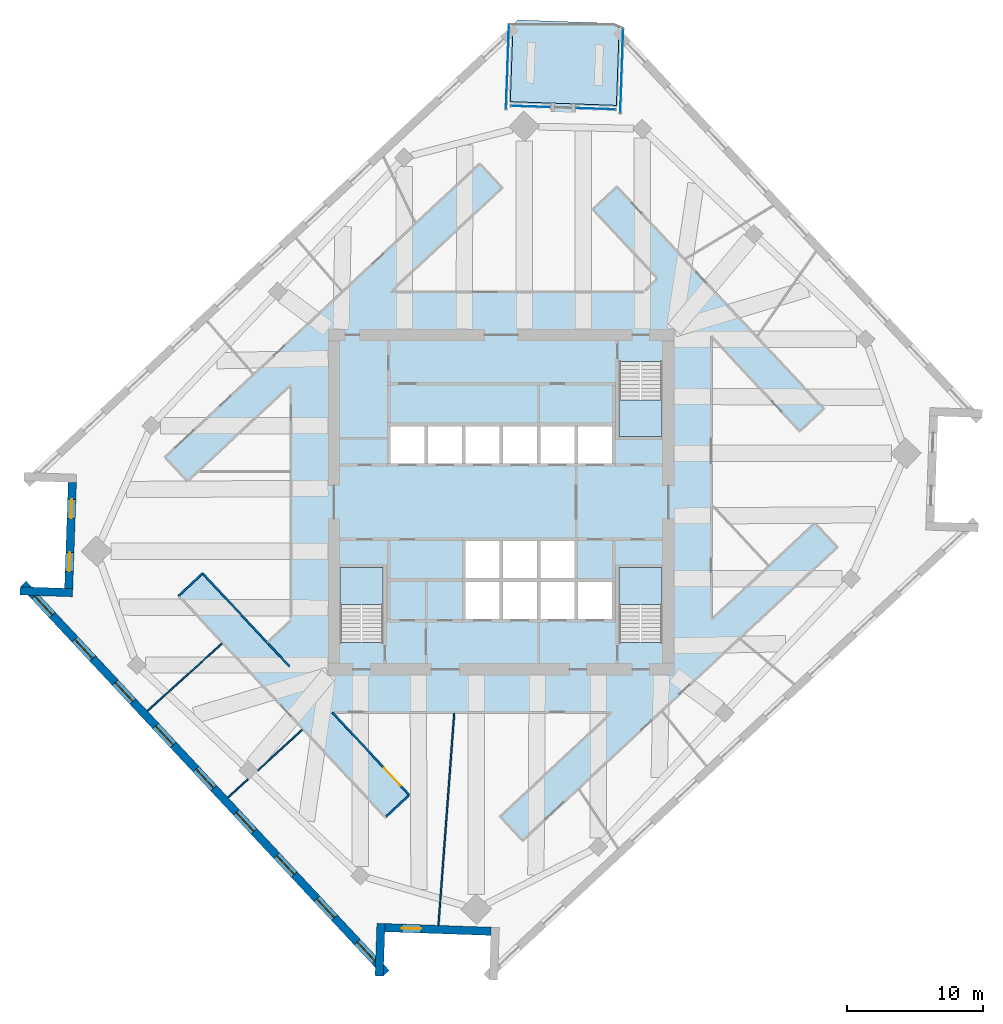
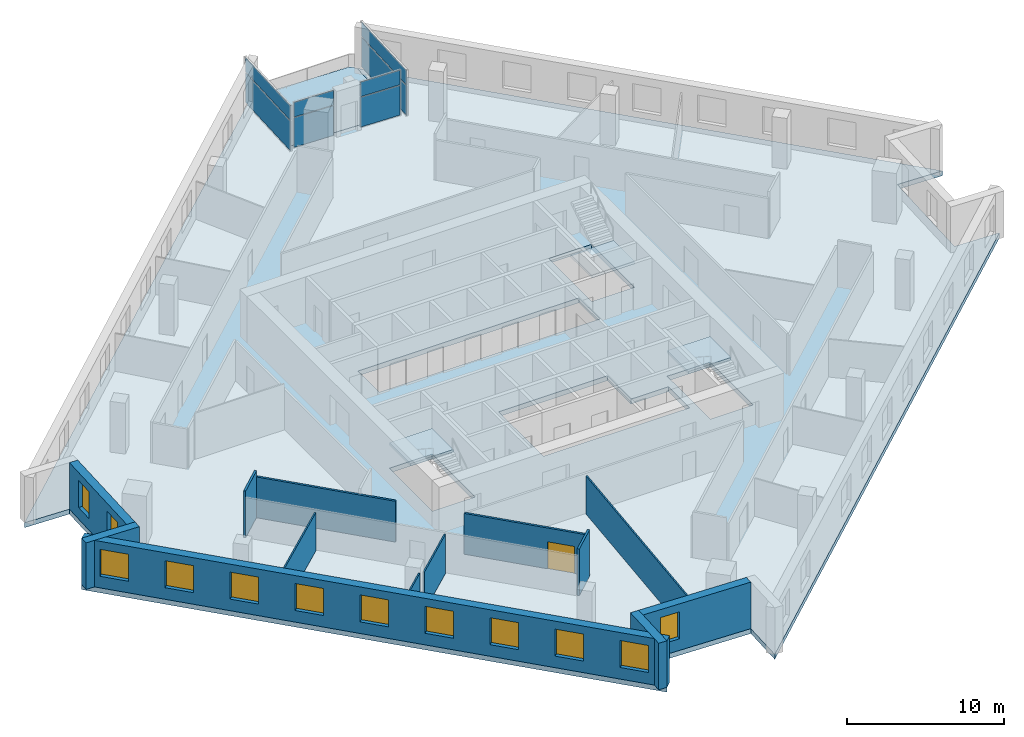
# One storey, part 3 of 10: 13 walls, 12 windows, 8 plates, 5 slabs, 1 door, 13 openings, 7 elements without a shape of their own.
"""IFC4 building model written with IfcOpenShell, lengths in metres."""

from ifc_helpers import new_model, si_unit, direction, frame, frame_2d, origin, origin_2d, place, context, subcontext, project, spatial, polyline, rectangle, outline, extrude, material, layer, layer_set, type_object, element, fill, aggregate, save


model = new_model("IFC4")

# Units and contexts
model_context = context("Model", 3, precision=1e-05, world=origin(), true_north=direction((0.0, 1.0)))
body_context = subcontext(model_context, "Body", "Model", "MODEL_VIEW")
ifc_project = project(units=[si_unit("LENGTHUNIT", "METRE"), si_unit("AREAUNIT", "SQUARE_METRE"), si_unit("VOLUMEUNIT", "CUBIC_METRE"), si_unit("PLANEANGLEUNIT", "RADIAN"), si_unit("MASSUNIT", "GRAM", prefix="KILO")], contexts=[model_context])

# Site, building, storey
site_placement = place(None, origin())
site = spatial("IfcSite", under=ifc_project, at=site_placement, CompositionType="ELEMENT")
building_placement = place(site_placement, origin())
building = spatial("IfcBuilding", under=site, at=building_placement, Name="Dilmun Exchange Tower", CompositionType="ELEMENT")
storey_placement = place(building_placement, frame((0.0, 0.0, 197.300048828125)))
storey = spatial("IfcBuildingStorey", under=building, at=storey_placement, Name="L46", CompositionType="ELEMENT", Elevation=197.300048828125)

# Stair, slab
ifc_material_1 = material(Name="Concrete C40/50", Category="concrete")
stair_type = type_object("IfcStairType", Name="Exit stair 1500 half-turn", PredefinedType="HALF_TURN_STAIR", material=ifc_material_1)
stair_1_placement = place(storey_placement, origin())
stair_1 = element("IfcStair", 1, at=stair_1_placement, inside=storey, type_object=stair_type, Name="L46 Protected exit stair ST1", PredefinedType="HALF_TURN_STAIR")
ifc_layer_1 = layer(ifc_material_1, 0.199951171875)
ifc_layer_set_1 = layer_set([ifc_layer_1], Name="Concrete C40/50")
slab_type_1 = type_object("IfcSlabType", Name="Exit stair landing 200", PredefinedType="LANDING", material=ifc_layer_set_1)
slab_1_placement = place(storey_placement, frame((0.0, 0.0, 1.800048828125)))
slab_1 = element("IfcSlab", 2, at=slab_1_placement, type_object=slab_type_1, Name="ST1 landing 1", PredefinedType="LANDING", context=body_context, shape_type="SweptSolid", body=[
    extrude(outline(polyline([(8.64990234375, 7.5), (8.64990234375, 4.800048828125), (11.800048828125, 4.800048828125), (11.800048828125, 7.5), (8.64990234375, 7.5)])), origin(), (0.0, 0.0, 1.0), 0.199951171875),
])
aggregate(stair_1, [slab_1])

stair_2_placement = place(storey_placement, origin())
stair_2 = element("IfcStair", 3, at=stair_2_placement, inside=storey, type_object=stair_type, Name="L46 Protected exit stair ST2", PredefinedType="HALF_TURN_STAIR")
slab_2_placement = place(storey_placement, frame((0.0, 0.0, 1.800048828125)))
slab_2 = element("IfcSlab", 4, at=slab_2_placement, type_object=slab_type_1, Name="ST2 landing 1", PredefinedType="LANDING", context=body_context, shape_type="SweptSolid", body=[
    extrude(outline(polyline([(-8.64990234375, -7.5), (-8.64990234375, -4.800048828125), (-11.800048828125, -4.800048828125), (-11.800048828125, -7.5), (-8.64990234375, -7.5)])), origin(), (0.0, 0.0, 1.0), 0.199951171875),
])
aggregate(stair_2, [slab_2])

stair_3_placement = place(storey_placement, origin())
stair_3 = element("IfcStair", 5, at=stair_3_placement, inside=storey, type_object=stair_type, Name="L46 Protected exit stair ST3", PredefinedType="HALF_TURN_STAIR")
slab_3_placement = place(storey_placement, frame((0.0, 0.0, 1.800048828125)))
slab_3 = element("IfcSlab", 6, at=slab_3_placement, type_object=slab_type_1, Name="ST3 landing 1", PredefinedType="LANDING", context=body_context, shape_type="SweptSolid", body=[
    extrude(outline(polyline([(11.800048828125, -7.5), (11.800048828125, -4.800048828125), (8.64990234375, -4.800048828125), (8.64990234375, -7.5), (11.800048828125, -7.5)])), origin(), (0.0, 0.0, 1.0), 0.199951171875),
])
aggregate(stair_3, [slab_3])

# Curtain wall, plates
ifc_material_2 = material(Name="Anodised aluminium and clear glass", Category="aluminium")
curtain_wall_type = type_object("IfcCurtainWallType", Name="Garden corner glazing", PredefinedType="NOTDEFINED", material=ifc_material_2)
curtain_wall_1_placement = place(storey_placement, origin())
curtain_wall_1 = element("IfcCurtainWall", 7, at=curtain_wall_1_placement, inside=storey, type_object=curtain_wall_type, Name="Garden corner glazing run GC1.1", PredefinedType="NOTDEFINED")
ifc_material_3 = material(Name="Clear glass", Category="glass")
ifc_layer_2 = layer(ifc_material_3, 0.028076171875)
ifc_layer_set_2 = layer_set([ifc_layer_2], Name="Clear glass")
plate_type = type_object("IfcPlateType", Name="Garden corner glazing glass panel 28", PredefinedType="CURTAIN_PANEL", material=ifc_layer_set_2)
plate_1_placement = place(storey_placement, frame((8.83251953125, 31.589599609375, 0.059814453125), z_axis=(0.0, 0.0, 1.0), x_axis=(-0.034899514651, -0.999390826392, 0.0)))
plate_1 = element("IfcPlate", 8, at=plate_1_placement, type_object=plate_type, Name="GC1.1 panel 1.1", PredefinedType="CURTAIN_PANEL", context=body_context, shape_type="SweptSolid", body=[
    extrude(rectangle(XDim=6.12646484375, YDim=0.028076171875, at=origin_2d()), origin(), (0.0, 0.0, 1.0), 2.31005859375),
])
plate_2_placement = place(storey_placement, frame((8.83251953125, 31.589599609375, 2.429931640625), z_axis=(0.0, 0.0, 1.0), x_axis=(-0.034899514651, -0.999390826392, 0.0)))
plate_2 = element("IfcPlate", 9, at=plate_2_placement, type_object=plate_type, Name="GC1.1 panel 1.2", PredefinedType="CURTAIN_PANEL", context=body_context, shape_type="SweptSolid", body=[
    extrude(rectangle(XDim=6.12646484375, YDim=0.028076171875, at=origin_2d()), origin(), (0.0, 0.0, 1.0), 1.1298828125),
])
aggregate(curtain_wall_1, [plate_1, plate_2])

curtain_wall_2_placement = place(storey_placement, origin())
curtain_wall_2 = element("IfcCurtainWall", 10, at=curtain_wall_2_placement, inside=storey, type_object=curtain_wall_type, Name="Garden corner glazing run GC2.1", PredefinedType="NOTDEFINED")
plate_3_placement = place(storey_placement, frame((6.9404296875, 28.83056640625, 0.059814453125), z_axis=(0.0, 0.0, 1.0), x_axis=(-0.999391046537, 0.034893209966, 0.0)))
plate_3 = element("IfcPlate", 11, at=plate_3_placement, type_object=plate_type, Name="GC2.1 panel 1.1", PredefinedType="CURTAIN_PANEL", context=body_context, shape_type="SweptSolid", body=[
    extrude(rectangle(XDim=2.869140625, YDim=0.028076171875, at=origin_2d()), origin(), (0.0, 0.0, 1.0), 2.31005859375),
])
plate_4_placement = place(storey_placement, frame((6.9404296875, 28.83056640625, 2.429931640625), z_axis=(0.0, 0.0, 1.0), x_axis=(-0.999391046537, 0.034893209966, 0.0)))
plate_4 = element("IfcPlate", 12, at=plate_4_placement, type_object=plate_type, Name="GC2.1 panel 1.2", PredefinedType="CURTAIN_PANEL", context=body_context, shape_type="SweptSolid", body=[
    extrude(rectangle(XDim=2.869140625, YDim=0.028076171875, at=origin_2d()), origin(), (0.0, 0.0, 1.0), 1.1298828125),
])
aggregate(curtain_wall_2, [plate_3, plate_4])

curtain_wall_3_placement = place(storey_placement, origin())
curtain_wall_3 = element("IfcCurtainWall", 13, at=curtain_wall_3_placement, inside=storey, type_object=curtain_wall_type, Name="Garden corner glazing run GC2.3", PredefinedType="NOTDEFINED")
plate_5_placement = place(storey_placement, frame((2.154296875, 28.997802734375, 0.059814453125), z_axis=(0.0, 0.0, 1.0), x_axis=(-0.999391005803, 0.034894376636, 0.0)))
plate_5 = element("IfcPlate", 14, at=plate_5_placement, type_object=plate_type, Name="GC2.3 panel 1.1", PredefinedType="CURTAIN_PANEL", context=body_context, shape_type="SweptSolid", body=[
    extrude(rectangle(XDim=2.869140625, YDim=0.028076171875, at=origin_2d()), origin(), (0.0, 0.0, 1.0), 2.31005859375),
])
plate_6_placement = place(storey_placement, frame((2.154296875, 28.997802734375, 2.429931640625), z_axis=(0.0, 0.0, 1.0), x_axis=(-0.999391005803, 0.034894376636, 0.0)))
plate_6 = element("IfcPlate", 15, at=plate_6_placement, type_object=plate_type, Name="GC2.3 panel 1.2", PredefinedType="CURTAIN_PANEL", context=body_context, shape_type="SweptSolid", body=[
    extrude(rectangle(XDim=2.869140625, YDim=0.028076171875, at=origin_2d()), origin(), (0.0, 0.0, 1.0), 1.1298828125),
])
aggregate(curtain_wall_3, [plate_5, plate_6])

curtain_wall_4_placement = place(storey_placement, origin())
curtain_wall_4 = element("IfcCurtainWall", 16, at=curtain_wall_4_placement, inside=storey, type_object=curtain_wall_type, Name="Garden corner glazing run GC3.1", PredefinedType="NOTDEFINED")
plate_7_placement = place(storey_placement, frame((0.45947265625, 31.8818359375, 0.059814453125), z_axis=(0.0, 0.0, 1.0), x_axis=(0.034899514651, 0.999390826392, 0.0)))
plate_7 = element("IfcPlate", 17, at=plate_7_placement, type_object=plate_type, Name="GC3.1 panel 1.1", PredefinedType="CURTAIN_PANEL", context=body_context, shape_type="SweptSolid", body=[
    extrude(rectangle(XDim=6.12646484375, YDim=0.028076171875, at=origin_2d()), origin(), (0.0, 0.0, 1.0), 2.31005859375),
])
plate_8_placement = place(storey_placement, frame((0.45947265625, 31.8818359375, 2.429931640625), z_axis=(0.0, 0.0, 1.0), x_axis=(0.034899514651, 0.999390826392, 0.0)))
plate_8 = element("IfcPlate", 18, at=plate_8_placement, type_object=plate_type, Name="GC3.1 panel 1.2", PredefinedType="CURTAIN_PANEL", context=body_context, shape_type="SweptSolid", body=[
    extrude(rectangle(XDim=6.12646484375, YDim=0.028076171875, at=origin_2d()), origin(), (0.0, 0.0, 1.0), 1.1298828125),
])
aggregate(curtain_wall_4, [plate_7, plate_8])

# Slabs
ifc_layer_3 = layer(ifc_material_1, 0.3798828125)
ifc_layer_set_3 = layer_set([ifc_layer_3], Name="Concrete C40/50")
slab_type_2 = type_object("IfcSlabType", Name="RC floor slab 380", PredefinedType="FLOOR", material=ifc_layer_set_3)
slab_4_placement = place(storey_placement, frame((0.0, 0.0, -0.380126953125)))
element("IfcSlab", 19, at=slab_4_placement, inside=storey, type_object=slab_type_2, Name="Floor slab", PredefinedType="FLOOR", context=body_context, shape_type="SweptSolid", body=[
    extrude(outline(polyline([(31.9951171875, 6.31201171875), (31.7236328125, -1.461669921875), (34.968017578125, -1.574951171875), (-0.8681640625, -34.992919921875), (-0.7548828125, -31.748291015625), (-8.5283203125, -31.476806640625), (-8.6416015625, -34.72119140625), (-35.239501953125, -6.198486328125), (-31.9951171875, -6.31201171875), (-31.7236328125, 1.461669921875), (-34.968017578125, 1.574951171875), (0.8681640625, 34.992919921875), (0.671142578125, 29.349853515625), (8.444580078125, 29.078369140625), (8.6416015625, 34.72119140625), (35.239501953125, 6.198486328125), (31.9951171875, 6.31201171875)]), holes=[polyline([(-8.64990234375, -4.800048828125), (-11.800048828125, -4.800048828125), (-11.800048828125, -10.294921875), (-8.64990234375, -10.294921875), (-8.64990234375, -4.800048828125)]), polyline([(11.800048828125, -4.800048828125), (8.64990234375, -4.800048828125), (8.64990234375, -10.294921875), (11.800048828125, -10.294921875), (11.800048828125, -4.800048828125)]), polyline([(5.375, -2.85009765625), (-2.625, -2.85009765625), (-2.625, -8.550048828125), (8.125, -8.550048828125), (8.125, -5.85009765625), (5.375, -5.85009765625), (5.375, -2.85009765625)]), polyline([(8.125, 2.85009765625), (8.125, 5.550048828125), (-8.125, 5.550048828125), (-8.125, 2.85009765625), (8.125, 2.85009765625)]), polyline([(8.64990234375, 10.294921875), (8.64990234375, 4.800048828125), (11.800048828125, 4.800048828125), (11.800048828125, 10.294921875), (8.64990234375, 10.294921875)])]), origin(), (0.0, 0.0, 1.0), 0.380126953125),
])
ifc_layer_4 = layer(ifc_material_1, 0.300048828125)
ifc_layer_set_4 = layer_set([ifc_layer_4], Name="Concrete C40/50")
slab_type_3 = type_object("IfcSlabType", Name="RC garden terrace slab 300", PredefinedType="FLOOR", material=ifc_layer_set_4)
slab_5_placement = place(storey_placement, frame((0.0, 0.0, -0.300048828125)))
element("IfcSlab", 20, at=slab_5_placement, inside=storey, type_object=slab_type_3, Name="Garden terrace slab", PredefinedType="FLOOR", context=body_context, shape_type="SweptSolid", body=[
    extrude(outline(polyline([(0.671142578125, 29.349853515625), (0.8681640625, 34.992919921875), (1.23388671875, 35.333740234375), (8.300537109375, 35.0869140625), (8.6416015625, 34.72119140625), (8.444580078125, 29.078369140625), (0.671142578125, 29.349853515625)])), origin(), (0.0, 0.0, 1.0), 0.300048828125),
])

# Walls
ifc_material_4 = material(Name="Corridor wall 150")
ifc_layer_5 = layer(ifc_material_4, 0.14990234375)
ifc_layer_set_5 = layer_set([ifc_layer_5], Name="Corridor wall 150")
wall_type_1 = type_object("IfcWallType", Name="Corridor wall 150", PredefinedType="PARTITIONING", material=ifc_layer_set_5)
wall_1_placement = place(storey_placement, frame((-23.633056640625, -6.85205078125, 0.0), z_axis=(0.0, 0.0, 1.0), x_axis=(0.731295398421, 0.682060877231, 0.0)))
element("IfcWall", 21, at=wall_1_placement, inside=storey, type_object=wall_type_1, Name="Corridor wall", PredefinedType="PARTITIONING", context=body_context, shape_type="SweptSolid", body=[
    extrude(rectangle(XDim=2.400146484375, YDim=0.14990234375, at=frame_2d((1.2001953125, 0.0))), origin(), (0.0, 0.0, 1.0), 3.619873046875),
])
wall_2_placement = place(storey_placement, frame((-21.826904296875, -5.269775390625, 0.0), z_axis=(0.0, 0.0, 1.0), x_axis=(0.682018934887, -0.731334514744, 0.0)))
element("IfcWall", 22, at=wall_2_placement, inside=storey, type_object=wall_type_1, Name="Corridor wall", PredefinedType="PARTITIONING", context=body_context, shape_type="SweptSolid", body=[
    extrude(rectangle(XDim=9.2724609375, YDim=0.14990234375, at=frame_2d((4.63623046875, 0.0))), origin(), (0.0, 0.0, 1.0), 3.169921875),
])

# Wall, opening, door
wall_3_placement = place(storey_placement, frame((-12.3798828125, -15.39990234375, 0.0), z_axis=(0.0, 0.0, 1.0), x_axis=(0.681925559665, -0.731421582314, 0.0)))
wall_3 = element("IfcWall", 23, at=wall_3_placement, inside=storey, type_object=wall_type_1, Name="Corridor wall", PredefinedType="PARTITIONING", context=body_context, shape_type="SweptSolid", body=[
    extrude(rectangle(XDim=8.28662109375, YDim=0.14990234375, at=frame_2d((4.143310546875, 0.0))), origin(), (0.0, 0.0, 1.0), 3.169921875),
])
opening_1_placement = place(wall_3_placement, frame((5.550048828125, 0.0, 0.0)))
opening_1 = element("IfcOpeningElement", 24, at=opening_1_placement, cuts=wall_3, Name="Opening TF46-D07", PredefinedType="OPENING", context=body_context, shape_type="SweptSolid", body=[
    extrude(rectangle(XDim=1.800048828125, YDim=2.10009765625, at=frame_2d((0.89990234375, 1.050048828125))), frame((0.0, 0.0849609375, 0.0), z_axis=(0.0, -1.0, 0.0), x_axis=(1.0, 0.0, 0.0)), (0.0, 0.0, 1.0), 0.169921875),
])
ifc_material_5 = material(Name="Fire door pair 1800 x 2100")
door_type = type_object("IfcDoorType", Name="Fire door pair 1800 x 2100", OperationType="NOTDEFINED", PredefinedType="DOOR", material=ifc_material_5)
door_placement = place(opening_1_placement, origin())
door = element("IfcDoor", 25, at=door_placement, inside=storey, type_object=door_type, Name="Door TF46-D07", OperationType="DOUBLE_DOOR_SINGLE_SWING", OverallHeight=2.10009765625, OverallWidth=1.800048828125, PredefinedType="DOOR", context=body_context, shape_type="SweptSolid", body=[
    extrude(rectangle(XDim=1.800048828125, YDim=2.10009765625, at=frame_2d((0.89990234375, 1.050048828125))), frame((0.0, 0.02490234375, 0.0), z_axis=(0.0, -1.0, 0.0), x_axis=(1.0, 0.0, 0.0)), (0.0, 0.0, 1.0), 0.050048828125),
])
fill(opening_1, door)

# Walls
wall_4_placement = place(storey_placement, frame((-8.42919921875, -23.0458984375, 0.0), z_axis=(0.0, 0.0, 1.0), x_axis=(0.731473834751, 0.681869510299, 0.0)))
element("IfcWall", 26, at=wall_4_placement, inside=storey, type_object=wall_type_1, Name="Corridor wall", PredefinedType="PARTITIONING", context=body_context, shape_type="SweptSolid", body=[
    extrude(rectangle(XDim=2.249267578125, YDim=0.14990234375, at=frame_2d((1.12451171875, 0.0))), origin(), (0.0, 0.0, 1.0), 3.619873046875),
])
ifc_material_6 = material(Name="Partition 100")
ifc_layer_6 = layer(ifc_material_6, 0.10009765625)
ifc_layer_set_6 = layer_set([ifc_layer_6], Name="Partition 100")
wall_type_2 = type_object("IfcWallType", Name="Partition 100", PredefinedType="PARTITIONING", material=ifc_layer_set_6)
wall_5_placement = place(storey_placement, frame((-25.92724609375, -15.302001953125, 0.0), z_axis=(0.0, 0.0, 1.0), x_axis=(0.741648836196, 0.670788344986, 0.0)))
element("IfcWall", 27, at=wall_5_placement, inside=storey, type_object=wall_type_2, Name="Partition", PredefinedType="PARTITIONING", context=body_context, shape_type="SweptSolid", body=[
    extrude(rectangle(XDim=7.3662109375, YDim=0.10009765625, at=frame_2d((3.68310546875, 0.0))), origin(), (0.0, 0.0, 1.0), 2.969970703125),
])
wall_6_placement = place(storey_placement, frame((-20.018310546875, -21.638427734375, 0.0), z_axis=(0.0, 0.0, 1.0), x_axis=(0.738813357268, 0.673910100178, 0.0)))
element("IfcWall", 28, at=wall_6_placement, inside=storey, type_object=wall_type_2, Name="Partition", PredefinedType="PARTITIONING", context=body_context, shape_type="SweptSolid", body=[
    extrude(rectangle(XDim=1.982421875, YDim=0.10009765625, at=frame_2d((0.9912109375, 0.0))), origin(), (0.0, 0.0, 1.0), 3.619873046875),
])
wall_7_placement = place(storey_placement, frame((-17.819091796875, -19.63232421875, 0.0), z_axis=(0.0, 0.0, 1.0), x_axis=(0.738796153114, 0.673928960755, 0.0)))
element("IfcWall", 29, at=wall_7_placement, inside=storey, type_object=wall_type_2, Name="Partition", PredefinedType="PARTITIONING", context=body_context, shape_type="SweptSolid", body=[
    extrude(rectangle(XDim=4.388427734375, YDim=0.10009765625, at=frame_2d((2.1943359375, 0.0))), origin(), (0.0, 0.0, 1.0), 3.050048828125),
])
wall_8_placement = place(storey_placement, frame((-4.597412109375, -31.01171875, 0.0), z_axis=(0.0, 0.0, 1.0), x_axis=(0.074186343443, 0.997244396548, 0.0)))
element("IfcWall", 30, at=wall_8_placement, inside=storey, type_object=wall_type_2, Name="Partition", PredefinedType="PARTITIONING", context=body_context, shape_type="SweptSolid", body=[
    extrude(rectangle(XDim=15.575927734375, YDim=0.10009765625, at=frame_2d((7.7880859375, 0.0))), origin(), (0.0, 0.0, 1.0), 2.969970703125),
])

# Wall, openings, windows
ifc_material_7 = material(Name="Precast concrete C50/60", Category="concrete")
ifc_layer_7 = layer(ifc_material_7, 0.60009765625)
ifc_layer_set_7 = layer_set([ifc_layer_7], Name="Precast concrete C50/60")
wall_type_3 = type_object("IfcWallType", Name="Precast stone-clad wall 600", PredefinedType="STANDARD", material=ifc_layer_set_7)
wall_9_placement = place(storey_placement, frame((-31.423828125, 1.451171875, 0.0), z_axis=(0.0, 0.0, 1.0), x_axis=(-0.034903343287, -0.999390692686, 0.0)))
wall_9 = element("IfcWall", 31, at=wall_9_placement, inside=storey, type_object=wall_type_3, Name="Facade wall L46-05", PredefinedType="STANDARD", context=body_context, shape_type="SweptSolid", body=[
    extrude(rectangle(XDim=7.778076171875, YDim=0.60009765625, at=frame_2d((3.88916015625, 0.0))), origin(), (0.0, 0.0, 1.0), 3.619873046875),
])
opening_2_placement = place(wall_9_placement, frame((1.244384765625, 0.0, 0.89990234375)))
opening_2 = element("IfcOpeningElement", 32, at=opening_2_placement, cuts=wall_9, Name="Opening W140-210", PredefinedType="OPENING", context=body_context, shape_type="SweptSolid", body=[
    extrude(rectangle(XDim=1.39990234375, YDim=2.10009765625, at=frame_2d((0.699951171875, 1.050048828125))), frame((0.0, 0.31005859375, 0.0), z_axis=(0.0, -1.0, 0.0), x_axis=(1.0, 0.0, 0.0)), (0.0, 0.0, 1.0), 0.6201171875),
])
opening_3_placement = place(wall_9_placement, frame((5.133544921875, 0.0, 0.89990234375)))
opening_3 = element("IfcOpeningElement", 33, at=opening_3_placement, cuts=wall_9, Name="Opening W140-210", PredefinedType="OPENING", context=body_context, shape_type="SweptSolid", body=[
    extrude(rectangle(XDim=1.39990234375, YDim=2.10009765625, at=frame_2d((0.699951171875, 1.050048828125))), frame((0.0, 0.31005859375, 0.0), z_axis=(0.0, -1.0, 0.0), x_axis=(1.0, 0.0, 0.0)), (0.0, 0.0, 1.0), 0.6201171875),
])
ifc_material_8 = material(Name="Clear low-emissivity glass in aluminium frame", Category="aluminium")
window_type_1 = type_object("IfcWindowType", Name="Punched window 1400 x 2100", PartitioningType="DOUBLE_PANEL_VERTICAL", PredefinedType="WINDOW", material=ifc_material_8)
window_1_placement = place(opening_2_placement, origin())
window_1 = element("IfcWindow", 34, at=window_1_placement, inside=storey, type_object=window_type_1, Name="Window 6.1", OverallHeight=2.10009765625, OverallWidth=1.39990234375, PartitioningType="SINGLE_PANEL", PredefinedType="WINDOW", context=body_context, shape_type="SweptSolid", body=[
    extrude(rectangle(XDim=1.39990234375, YDim=2.10009765625, at=frame_2d((0.699951171875, 1.050048828125))), frame((0.0, 0.030029296875, 0.0), z_axis=(0.0, -1.0, 0.0), x_axis=(1.0, 0.0, 0.0)), (0.0, 0.0, 1.0), 0.06005859375),
])
fill(opening_2, window_1)
window_2_placement = place(opening_3_placement, origin())
window_2 = element("IfcWindow", 35, at=window_2_placement, inside=storey, type_object=window_type_1, Name="Window 6.2", OverallHeight=2.10009765625, OverallWidth=1.39990234375, PartitioningType="SINGLE_PANEL", PredefinedType="WINDOW", context=body_context, shape_type="SweptSolid", body=[
    extrude(rectangle(XDim=1.39990234375, YDim=2.10009765625, at=frame_2d((0.699951171875, 1.050048828125))), frame((0.0, 0.030029296875, 0.0), z_axis=(0.0, -1.0, 0.0), x_axis=(1.0, 0.0, 0.0)), (0.0, 0.0, 1.0), 0.06005859375),
])
fill(opening_3, window_2)

# Wall
wall_10_placement = place(storey_placement, frame((-31.406005859375, -6.632568359375, 0.0), z_axis=(0.0, 0.0, 1.0), x_axis=(-0.999390445106, 0.034910431553, 0.0)))
element("IfcWall", 36, at=wall_10_placement, inside=storey, type_object=wall_type_3, Name="Facade wall L46-06", PredefinedType="STANDARD", context=body_context, shape_type="SweptSolid", body=[
    extrude(rectangle(XDim=3.846435546875, YDim=0.60009765625, at=frame_2d((1.92333984375, 0.0))), origin(), (0.0, 0.0, 1.0), 3.619873046875),
])

# Wall, openings, windows
wall_11_placement = place(storey_placement, frame((-35.020263671875, -5.993896484375, 0.0), z_axis=(0.0, 0.0, 1.0), x_axis=(0.682002361324, -0.731349970362, 0.0)))
wall_11 = element("IfcWall", 37, at=wall_11_placement, inside=storey, type_object=wall_type_3, Name="Facade wall L46-07", PredefinedType="STANDARD", context=body_context, shape_type="SweptSolid", body=[
    extrude(rectangle(XDim=39.0, YDim=0.60009765625, at=frame_2d((19.5, 0.0))), origin(), (0.0, 0.0, 1.0), 3.619873046875),
])
opening_4_placement = place(wall_11_placement, frame((1.216796875, 0.0, 0.89990234375)))
opening_4 = element("IfcOpeningElement", 38, at=opening_4_placement, cuts=wall_11, Name="Opening W190-210", PredefinedType="OPENING", context=body_context, shape_type="SweptSolid", body=[
    extrude(rectangle(XDim=1.89990234375, YDim=2.10009765625, at=frame_2d((0.949951171875, 1.050048828125))), frame((0.0, 0.31005859375, 0.0), z_axis=(0.0, -1.0, 0.0), x_axis=(1.0, 0.0, 0.0)), (0.0, 0.0, 1.0), 0.6201171875),
])
opening_5_placement = place(wall_11_placement, frame((5.550048828125, 0.0, 0.89990234375)))
opening_5 = element("IfcOpeningElement", 39, at=opening_5_placement, cuts=wall_11, Name="Opening W190-210", PredefinedType="OPENING", context=body_context, shape_type="SweptSolid", body=[
    extrude(rectangle(XDim=1.89990234375, YDim=2.10009765625, at=frame_2d((0.949951171875, 1.050048828125))), frame((0.0, 0.31005859375, 0.0), z_axis=(0.0, -1.0, 0.0), x_axis=(1.0, 0.0, 0.0)), (0.0, 0.0, 1.0), 0.6201171875),
])
opening_6_placement = place(wall_11_placement, frame((9.88330078125, 0.0, 0.89990234375)))
opening_6 = element("IfcOpeningElement", 40, at=opening_6_placement, cuts=wall_11, Name="Opening W190-210", PredefinedType="OPENING", context=body_context, shape_type="SweptSolid", body=[
    extrude(rectangle(XDim=1.89990234375, YDim=2.10009765625, at=frame_2d((0.949951171875, 1.050048828125))), frame((0.0, 0.31005859375, 0.0), z_axis=(0.0, -1.0, 0.0), x_axis=(1.0, 0.0, 0.0)), (0.0, 0.0, 1.0), 0.6201171875),
])
opening_7_placement = place(wall_11_placement, frame((14.216796875, 0.0, 0.89990234375)))
opening_7 = element("IfcOpeningElement", 41, at=opening_7_placement, cuts=wall_11, Name="Opening W190-210", PredefinedType="OPENING", context=body_context, shape_type="SweptSolid", body=[
    extrude(rectangle(XDim=1.89990234375, YDim=2.10009765625, at=frame_2d((0.949951171875, 1.050048828125))), frame((0.0, 0.31005859375, 0.0), z_axis=(0.0, -1.0, 0.0), x_axis=(1.0, 0.0, 0.0)), (0.0, 0.0, 1.0), 0.6201171875),
])
opening_8_placement = place(wall_11_placement, frame((18.550048828125, 0.0, 0.89990234375)))
opening_8 = element("IfcOpeningElement", 42, at=opening_8_placement, cuts=wall_11, Name="Opening W190-210", PredefinedType="OPENING", context=body_context, shape_type="SweptSolid", body=[
    extrude(rectangle(XDim=1.89990234375, YDim=2.10009765625, at=frame_2d((0.949951171875, 1.050048828125))), frame((0.0, 0.31005859375, 0.0), z_axis=(0.0, -1.0, 0.0), x_axis=(1.0, 0.0, 0.0)), (0.0, 0.0, 1.0), 0.6201171875),
])
opening_9_placement = place(wall_11_placement, frame((22.88330078125, 0.0, 0.89990234375)))
opening_9 = element("IfcOpeningElement", 43, at=opening_9_placement, cuts=wall_11, Name="Opening W190-210", PredefinedType="OPENING", context=body_context, shape_type="SweptSolid", body=[
    extrude(rectangle(XDim=1.89990234375, YDim=2.10009765625, at=frame_2d((0.949951171875, 1.050048828125))), frame((0.0, 0.31005859375, 0.0), z_axis=(0.0, -1.0, 0.0), x_axis=(1.0, 0.0, 0.0)), (0.0, 0.0, 1.0), 0.6201171875),
])
opening_10_placement = place(wall_11_placement, frame((27.216796875, 0.0, 0.89990234375)))
opening_10 = element("IfcOpeningElement", 44, at=opening_10_placement, cuts=wall_11, Name="Opening W190-210", PredefinedType="OPENING", context=body_context, shape_type="SweptSolid", body=[
    extrude(rectangle(XDim=1.89990234375, YDim=2.10009765625, at=frame_2d((0.949951171875, 1.050048828125))), frame((0.0, 0.31005859375, 0.0), z_axis=(0.0, -1.0, 0.0), x_axis=(1.0, 0.0, 0.0)), (0.0, 0.0, 1.0), 0.6201171875),
])
opening_11_placement = place(wall_11_placement, frame((31.550048828125, 0.0, 0.89990234375)))
opening_11 = element("IfcOpeningElement", 45, at=opening_11_placement, cuts=wall_11, Name="Opening W190-210", PredefinedType="OPENING", context=body_context, shape_type="SweptSolid", body=[
    extrude(rectangle(XDim=1.89990234375, YDim=2.10009765625, at=frame_2d((0.949951171875, 1.050048828125))), frame((0.0, 0.31005859375, 0.0), z_axis=(0.0, -1.0, 0.0), x_axis=(1.0, 0.0, 0.0)), (0.0, 0.0, 1.0), 0.6201171875),
])
opening_12_placement = place(wall_11_placement, frame((35.88330078125, 0.0, 0.89990234375)))
opening_12 = element("IfcOpeningElement", 46, at=opening_12_placement, cuts=wall_11, Name="Opening W190-210", PredefinedType="OPENING", context=body_context, shape_type="SweptSolid", body=[
    extrude(rectangle(XDim=1.89990234375, YDim=2.10009765625, at=frame_2d((0.949951171875, 1.050048828125))), frame((0.0, 0.31005859375, 0.0), z_axis=(0.0, -1.0, 0.0), x_axis=(1.0, 0.0, 0.0)), (0.0, 0.0, 1.0), 0.6201171875),
])
window_type_2 = type_object("IfcWindowType", Name="Punched window 1900 x 2100", PartitioningType="DOUBLE_PANEL_VERTICAL", PredefinedType="WINDOW", material=ifc_material_8)
window_3_placement = place(opening_4_placement, origin())
window_3 = element("IfcWindow", 47, at=window_3_placement, inside=storey, type_object=window_type_2, Name="Window 8.1", OverallHeight=2.10009765625, OverallWidth=1.89990234375, PartitioningType="SINGLE_PANEL", PredefinedType="WINDOW", context=body_context, shape_type="SweptSolid", body=[
    extrude(rectangle(XDim=1.89990234375, YDim=2.10009765625, at=frame_2d((0.949951171875, 1.050048828125))), frame((0.0, 0.030029296875, 0.0), z_axis=(0.0, -1.0, 0.0), x_axis=(1.0, 0.0, 0.0)), (0.0, 0.0, 1.0), 0.06005859375),
])
fill(opening_4, window_3)
window_4_placement = place(opening_5_placement, origin())
window_4 = element("IfcWindow", 48, at=window_4_placement, inside=storey, type_object=window_type_2, Name="Window 8.2", OverallHeight=2.10009765625, OverallWidth=1.89990234375, PartitioningType="SINGLE_PANEL", PredefinedType="WINDOW", context=body_context, shape_type="SweptSolid", body=[
    extrude(rectangle(XDim=1.89990234375, YDim=2.10009765625, at=frame_2d((0.949951171875, 1.050048828125))), frame((0.0, 0.030029296875, 0.0), z_axis=(0.0, -1.0, 0.0), x_axis=(1.0, 0.0, 0.0)), (0.0, 0.0, 1.0), 0.06005859375),
])
fill(opening_5, window_4)
window_5_placement = place(opening_6_placement, origin())
window_5 = element("IfcWindow", 49, at=window_5_placement, inside=storey, type_object=window_type_2, Name="Window 8.3", OverallHeight=2.10009765625, OverallWidth=1.89990234375, PartitioningType="SINGLE_PANEL", PredefinedType="WINDOW", context=body_context, shape_type="SweptSolid", body=[
    extrude(rectangle(XDim=1.89990234375, YDim=2.10009765625, at=frame_2d((0.949951171875, 1.050048828125))), frame((0.0, 0.030029296875, 0.0), z_axis=(0.0, -1.0, 0.0), x_axis=(1.0, 0.0, 0.0)), (0.0, 0.0, 1.0), 0.06005859375),
])
fill(opening_6, window_5)
window_6_placement = place(opening_7_placement, origin())
window_6 = element("IfcWindow", 50, at=window_6_placement, inside=storey, type_object=window_type_2, Name="Window 8.4", OverallHeight=2.10009765625, OverallWidth=1.89990234375, PartitioningType="SINGLE_PANEL", PredefinedType="WINDOW", context=body_context, shape_type="SweptSolid", body=[
    extrude(rectangle(XDim=1.89990234375, YDim=2.10009765625, at=frame_2d((0.949951171875, 1.050048828125))), frame((0.0, 0.030029296875, 0.0), z_axis=(0.0, -1.0, 0.0), x_axis=(1.0, 0.0, 0.0)), (0.0, 0.0, 1.0), 0.06005859375),
])
fill(opening_7, window_6)
window_7_placement = place(opening_8_placement, origin())
window_7 = element("IfcWindow", 51, at=window_7_placement, inside=storey, type_object=window_type_2, Name="Window 8.5", OverallHeight=2.10009765625, OverallWidth=1.89990234375, PartitioningType="SINGLE_PANEL", PredefinedType="WINDOW", context=body_context, shape_type="SweptSolid", body=[
    extrude(rectangle(XDim=1.89990234375, YDim=2.10009765625, at=frame_2d((0.949951171875, 1.050048828125))), frame((0.0, 0.030029296875, 0.0), z_axis=(0.0, -1.0, 0.0), x_axis=(1.0, 0.0, 0.0)), (0.0, 0.0, 1.0), 0.06005859375),
])
fill(opening_8, window_7)
window_8_placement = place(opening_9_placement, origin())
window_8 = element("IfcWindow", 52, at=window_8_placement, inside=storey, type_object=window_type_2, Name="Window 8.6", OverallHeight=2.10009765625, OverallWidth=1.89990234375, PartitioningType="SINGLE_PANEL", PredefinedType="WINDOW", context=body_context, shape_type="SweptSolid", body=[
    extrude(rectangle(XDim=1.89990234375, YDim=2.10009765625, at=frame_2d((0.949951171875, 1.050048828125))), frame((0.0, 0.030029296875, 0.0), z_axis=(0.0, -1.0, 0.0), x_axis=(1.0, 0.0, 0.0)), (0.0, 0.0, 1.0), 0.06005859375),
])
fill(opening_9, window_8)
window_9_placement = place(opening_10_placement, origin())
window_9 = element("IfcWindow", 53, at=window_9_placement, inside=storey, type_object=window_type_2, Name="Window 8.7", OverallHeight=2.10009765625, OverallWidth=1.89990234375, PartitioningType="SINGLE_PANEL", PredefinedType="WINDOW", context=body_context, shape_type="SweptSolid", body=[
    extrude(rectangle(XDim=1.89990234375, YDim=2.10009765625, at=frame_2d((0.949951171875, 1.050048828125))), frame((0.0, 0.030029296875, 0.0), z_axis=(0.0, -1.0, 0.0), x_axis=(1.0, 0.0, 0.0)), (0.0, 0.0, 1.0), 0.06005859375),
])
fill(opening_10, window_9)
window_10_placement = place(opening_11_placement, origin())
window_10 = element("IfcWindow", 54, at=window_10_placement, inside=storey, type_object=window_type_2, Name="Window 8.8", OverallHeight=2.10009765625, OverallWidth=1.89990234375, PartitioningType="SINGLE_PANEL", PredefinedType="WINDOW", context=body_context, shape_type="SweptSolid", body=[
    extrude(rectangle(XDim=1.89990234375, YDim=2.10009765625, at=frame_2d((0.949951171875, 1.050048828125))), frame((0.0, 0.030029296875, 0.0), z_axis=(0.0, -1.0, 0.0), x_axis=(1.0, 0.0, 0.0)), (0.0, 0.0, 1.0), 0.06005859375),
])
fill(opening_11, window_10)
window_11_placement = place(opening_12_placement, origin())
window_11 = element("IfcWindow", 55, at=window_11_placement, inside=storey, type_object=window_type_2, Name="Window 8.9", OverallHeight=2.10009765625, OverallWidth=1.89990234375, PartitioningType="SINGLE_PANEL", PredefinedType="WINDOW", context=body_context, shape_type="SweptSolid", body=[
    extrude(rectangle(XDim=1.89990234375, YDim=2.10009765625, at=frame_2d((0.949951171875, 1.050048828125))), frame((0.0, 0.030029296875, 0.0), z_axis=(0.0, -1.0, 0.0), x_axis=(1.0, 0.0, 0.0)), (0.0, 0.0, 1.0), 0.06005859375),
])
fill(opening_12, window_11)

# Wall
wall_12_placement = place(storey_placement, frame((-8.94140625, -34.7109375, 0.0), z_axis=(0.0, 0.0, 1.0), x_axis=(0.034908217157, 0.999390522456, 0.0)))
element("IfcWall", 56, at=wall_12_placement, inside=storey, type_object=wall_type_3, Name="Facade wall L46-08", PredefinedType="STANDARD", context=body_context, shape_type="SweptSolid", body=[
    extrude(rectangle(XDim=3.8466796875, YDim=0.60009765625, at=frame_2d((1.92333984375, 0.0))), origin(), (0.0, 0.0, 1.0), 3.619873046875),
])

# Wall, opening, window
wall_13_placement = place(storey_placement, frame((-8.517822265625, -31.177001953125, 0.0), z_axis=(0.0, 0.0, 1.0), x_axis=(0.999390692686, -0.034903343287, 0.0)))
wall_13 = element("IfcWall", 57, at=wall_13_placement, inside=storey, type_object=wall_type_3, Name="Facade wall L46-09", PredefinedType="STANDARD", context=body_context, shape_type="SweptSolid", body=[
    extrude(rectangle(XDim=7.778076171875, YDim=0.60009765625, at=frame_2d((3.88916015625, 0.0))), origin(), (0.0, 0.0, 1.0), 3.619873046875),
])
opening_13_placement = place(wall_13_placement, frame((1.244384765625, 0.0, 0.89990234375)))
opening_13 = element("IfcOpeningElement", 58, at=opening_13_placement, cuts=wall_13, Name="Opening W140-210", PredefinedType="OPENING", context=body_context, shape_type="SweptSolid", body=[
    extrude(rectangle(XDim=1.39990234375, YDim=2.10009765625, at=frame_2d((0.699951171875, 1.050048828125))), frame((0.0, 0.31005859375, 0.0), z_axis=(0.0, -1.0, 0.0), x_axis=(1.0, 0.0, 0.0)), (0.0, 0.0, 1.0), 0.6201171875),
])
window_12_placement = place(opening_13_placement, origin())
window_12 = element("IfcWindow", 59, at=window_12_placement, inside=storey, type_object=window_type_1, Name="Window 10.1", OverallHeight=2.10009765625, OverallWidth=1.39990234375, PartitioningType="SINGLE_PANEL", PredefinedType="WINDOW", context=body_context, shape_type="SweptSolid", body=[
    extrude(rectangle(XDim=1.39990234375, YDim=2.10009765625, at=frame_2d((0.699951171875, 1.050048828125))), frame((0.0, 0.030029296875, 0.0), z_axis=(0.0, -1.0, 0.0), x_axis=(1.0, 0.0, 0.0)), (0.0, 0.0, 1.0), 0.06005859375),
])
fill(opening_13, window_12)

save(model, "model.ifc")
